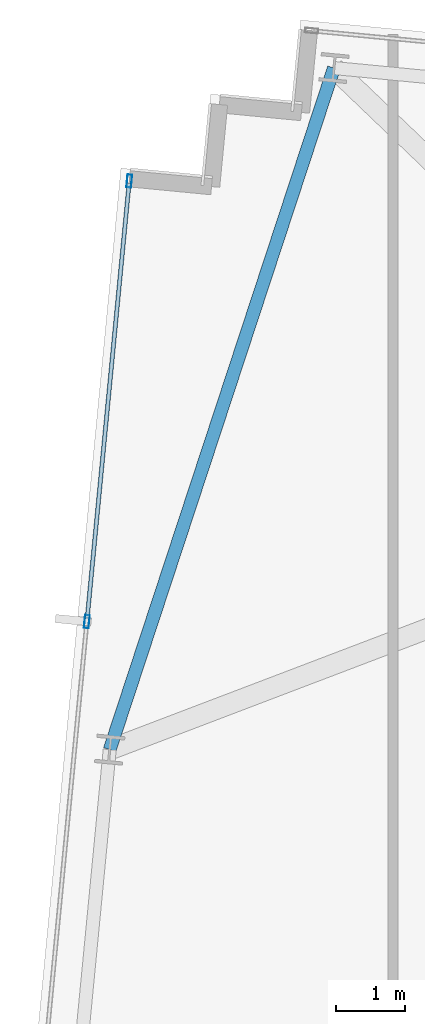
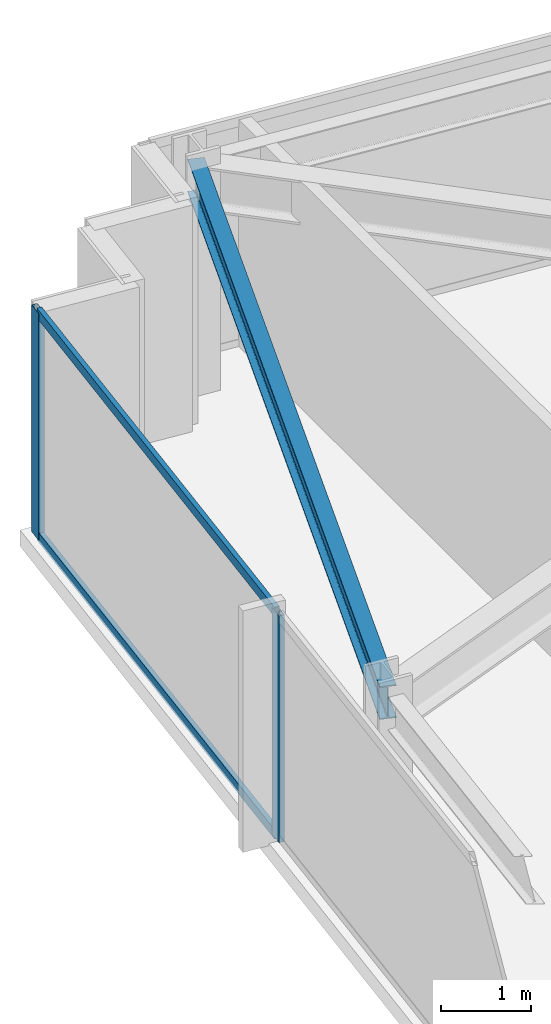
# One storey, part 21 of 36: 4 members, 1 beam, 1 element without a shape of its own.
"""IFC4 building model written with IfcOpenShell, lengths in metres."""

from ifc_helpers import new_model, si_unit, direction, frame, origin, origin_2d, place, context, subcontext, project, spatial, hollow_rectangle, i_section, extrude, material, material_profile, profile_set, type_object, element, aggregate, save


model = new_model("IFC4")

# Units and contexts
model_context = context("Model", 3, precision=1e-05, world=origin(), true_north=direction((0.0, 1.0)))
body_context = subcontext(model_context, "Body", "Model", "MODEL_VIEW")
ifc_project = project(units=[si_unit("LENGTHUNIT", "METRE"), si_unit("AREAUNIT", "SQUARE_METRE"), si_unit("VOLUMEUNIT", "CUBIC_METRE"), si_unit("PLANEANGLEUNIT", "RADIAN"), si_unit("MASSUNIT", "GRAM", prefix="KILO")], contexts=[model_context])

# Site, building, storey
site_placement = place(None, origin())
site = spatial("IfcSite", under=ifc_project, at=site_placement, CompositionType="ELEMENT")
building_placement = place(site_placement, origin())
building = spatial("IfcBuilding", under=site, at=building_placement, Name="Yelkora Congress Tower", CompositionType="ELEMENT")
storey_placement = place(building_placement, frame((0.0, 0.0, 152.300048828125)))
storey = spatial("IfcBuildingStorey", under=building, at=storey_placement, Name="L41", CompositionType="ELEMENT", Elevation=152.300048828125)

# Beam
ifc_material_1 = material(Name="Steel S355J2", Category="steel")
ifc_material_profile_1 = material_profile(ifc_material_1, i_section(OverallWidth=0.18994140625, OverallDepth=0.449951171875, WebThickness=0.009521484375, FlangeThickness=0.0146484375, FilletRadius=0.02099609375, at=origin_2d()), Name="IPE 450")
ifc_profile_set_1 = profile_set([ifc_material_profile_1], Name="Steel S355J2")
beam_type = type_object("IfcBeamType", Name="BM-SPAN-IPE450", PredefinedType="SPANDREL", material=ifc_profile_set_1)
beam_placement = place(storey_placement, frame((7.388916015625, 50.390625, 2.85498046875), z_axis=(-0.312456737339, -0.949931990877, 0.0), x_axis=(0.949931990877, -0.312456737339, 0.0)))
element("IfcBeam", 1, at=beam_placement, inside=storey, type_object=beam_type, Name="L41 Perimeter Beam 16", PredefinedType="SPANDREL", context=body_context, shape_type="SweptSolid", body=[
    extrude(i_section(OverallWidth=0.18994140625, OverallDepth=0.449951171875, WebThickness=0.009521484375, FlangeThickness=0.0146484375, FilletRadius=0.02099609375, at=origin_2d()), origin(), (0.0, 0.0, 1.0), 10.4560546875),
])

# Curtain wall, members
ifc_material_2 = material(Name="Anodised aluminium and insulated glass", Category="aluminium")
curtain_wall_type = type_object("IfcCurtainWallType", Name="CW-SYS-B3", PredefinedType="NOTDEFINED", material=ifc_material_2)
curtain_wall_placement = place(storey_placement, origin())
curtain_wall = element("IfcCurtainWall", 2, at=curtain_wall_placement, inside=storey, type_object=curtain_wall_type, Name="L41 Unitised Curtain Wall 5", PredefinedType="NOTDEFINED")
ifc_material_3 = material(Name="Anodised aluminium 6063-T6", Category="aluminium")
ifc_material_profile_2 = material_profile(ifc_material_3, hollow_rectangle(XDim=0.070068359375, YDim=0.18994140625, WallThickness=0.00390625, at=origin_2d()), Name="ALU 70x190x4")
ifc_profile_set_2 = profile_set([ifc_material_profile_2], Name="Anodised aluminium 6063-T6")
member_type_1 = type_object("IfcMemberType", Name="MEM-ML-B3", PredefinedType="MULLION", material=ifc_profile_set_2)
member_1_placement = place(storey_placement, frame((3.7890625, 42.324462890625, 0.0), z_axis=(0.0, 0.0, 1.0), x_axis=(-0.995396242473, 0.095845294465, 0.0)))
member_1 = element("IfcMember", 3, at=member_1_placement, type_object=member_type_1, Name="CW-B3 mullion 5", PredefinedType="MULLION", context=body_context, shape_type="SweptSolid", body=[
    extrude(hollow_rectangle(XDim=0.070068359375, YDim=0.18994140625, WallThickness=0.00390625, at=origin_2d()), origin(), (0.0, 0.0, 1.0), 3.079833984375),
])
member_2_placement = place(storey_placement, frame((4.4072265625, 48.74365234375, 0.0), z_axis=(0.0, 0.0, 1.0), x_axis=(-0.995396242473, 0.095845294465, 0.0)))
member_2 = element("IfcMember", 4, at=member_2_placement, type_object=member_type_1, Name="CW-B3 mullion 6", PredefinedType="MULLION", context=body_context, shape_type="SweptSolid", body=[
    extrude(hollow_rectangle(XDim=0.070068359375, YDim=0.18994140625, WallThickness=0.00390625, at=origin_2d()), origin(), (0.0, 0.0, 1.0), 3.079833984375),
])
ifc_material_profile_3 = material_profile(ifc_material_3, hollow_rectangle(XDim=0.06005859375, YDim=0.1298828125, WallThickness=0.00390625, at=origin_2d()), Name="ALU 60x130x4")
ifc_profile_set_3 = profile_set([ifc_material_profile_3], Name="Anodised aluminium 6063-T6")
member_type_2 = type_object("IfcMemberType", Name="MEM-TR-B3", PredefinedType="USERDEFINED", material=ifc_profile_set_3)
member_3_placement = place(storey_placement, frame((3.79248046875, 42.359375, 0.030029296875), z_axis=(0.095834923543, 0.99539724102, 0.0), x_axis=(-0.99539724102, 0.095834923543, 0.0)))
member_3 = element("IfcMember", 5, at=member_3_placement, type_object=member_type_2, Name="CW-B3 transom 5.1", ObjectType="TRANSOM", PredefinedType="USERDEFINED", context=body_context, shape_type="SweptSolid", body=[
    extrude(hollow_rectangle(XDim=0.06005859375, YDim=0.1298828125, WallThickness=0.00390625, at=origin_2d()), origin(), (0.0, 0.0, 1.0), 6.37890625),
])
member_4_placement = place(storey_placement, frame((3.79248046875, 42.359375, 3.050048828125), z_axis=(0.095834923543, 0.99539724102, 0.0), x_axis=(-0.99539724102, 0.095834923543, 0.0)))
member_4 = element("IfcMember", 6, at=member_4_placement, type_object=member_type_2, Name="CW-B3 transom 5.2", ObjectType="TRANSOM", PredefinedType="USERDEFINED", context=body_context, shape_type="SweptSolid", body=[
    extrude(hollow_rectangle(XDim=0.06005859375, YDim=0.1298828125, WallThickness=0.00390625, at=origin_2d()), origin(), (0.0, 0.0, 1.0), 6.37890625),
])
aggregate(curtain_wall, [member_1, member_2, member_3, member_4])

save(model, "model.ifc")
